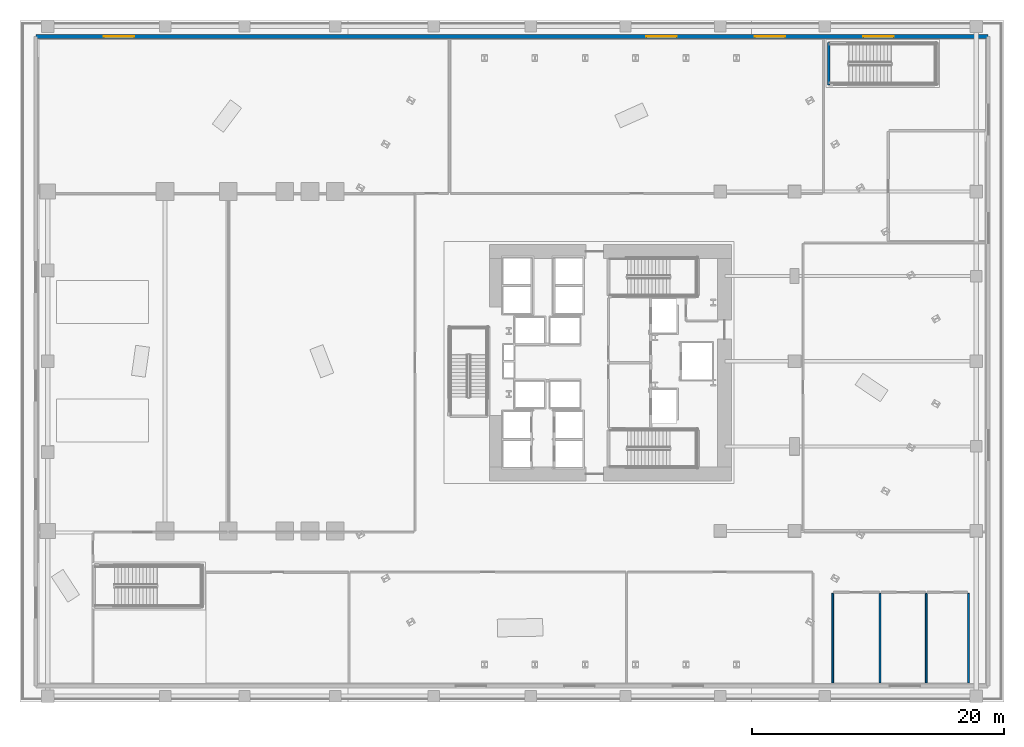
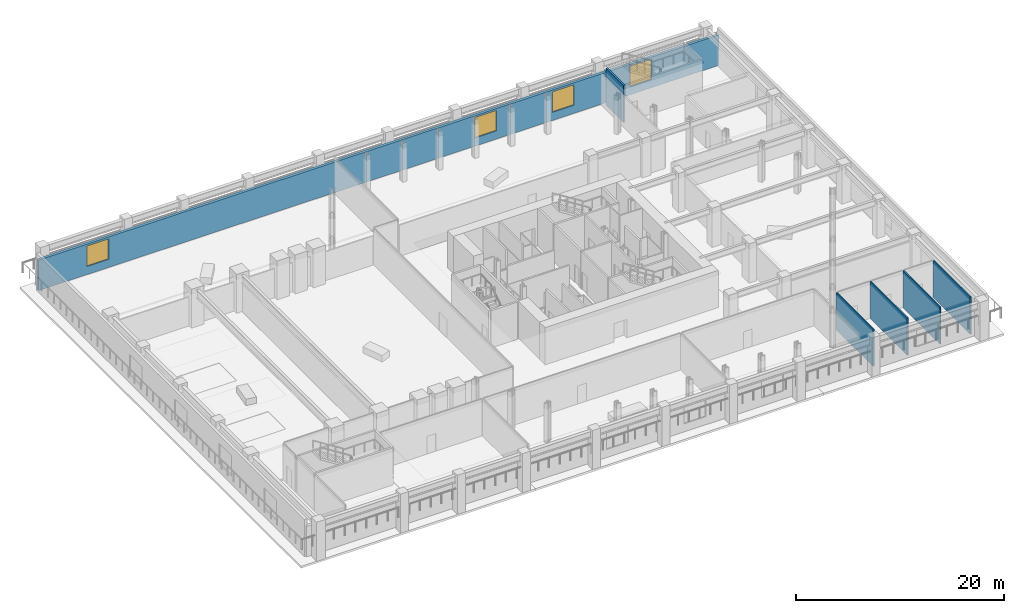
# One storey, part 6 of 18: 6 walls, 4 windows, 4 openings.
"""IFC4 building model written with IfcOpenShell, lengths in metres."""

from ifc_helpers import new_model, si_unit, direction, frame, frame_2d, origin, place, context, subcontext, project, spatial, rectangle, extrude, material, layer, layer_set, type_object, element, fill, save


model = new_model("IFC4")

# Units and contexts
model_context = context("Model", 3, precision=1e-05, world=origin(), true_north=direction((0.0, 1.0)))
body_context = subcontext(model_context, "Body", "Model", "MODEL_VIEW")
ifc_project = project(units=[si_unit("LENGTHUNIT", "METRE"), si_unit("AREAUNIT", "SQUARE_METRE"), si_unit("VOLUMEUNIT", "CUBIC_METRE"), si_unit("PLANEANGLEUNIT", "RADIAN"), si_unit("MASSUNIT", "GRAM", prefix="KILO")], contexts=[model_context])

# Site, building, storey
site_placement = place(None, origin())
site = spatial("IfcSite", under=ifc_project, at=site_placement, CompositionType="ELEMENT")
building_placement = place(site_placement, origin())
building = spatial("IfcBuilding", under=site, at=building_placement, Name="Valkerne Bourse Tower", CompositionType="ELEMENT")
storey_placement = place(building_placement, frame((0.0, 0.0, 10.199951171875)))
storey = spatial("IfcBuildingStorey", under=building, at=storey_placement, Name="L02", CompositionType="ELEMENT", Elevation=10.199951171875)

# Wall, openings, windows
ifc_material_1 = material(Name="Bronze Anodised Aluminium AA 6063-T6", Category="aluminium")
ifc_layer_1 = layer(ifc_material_1, 0.300048828125)
ifc_layer_set_1 = layer_set([ifc_layer_1], Name="Bronze Anodised Aluminium AA 6063-T6")
wall_type_1 = type_object("IfcWallType", Name="W-EXT-ALUM-300", PredefinedType="STANDARD", material=ifc_layer_set_1)
wall_1_placement = place(storey_placement, frame((1.25, 52.75, 0.0), z_axis=(0.0, 0.0, 1.0), x_axis=(1.0, 0.0, 0.0)))
wall_1 = element("IfcWall", 1, at=wall_1_placement, inside=storey, type_object=wall_type_1, Name="L02 Podium Exterior Wall NORTH", PredefinedType="STANDARD", context=body_context, shape_type="SweptSolid", body=[
    extrude(rectangle(XDim=75.5, YDim=0.300048828125, at=frame_2d((37.75, 0.0))), origin(), (0.0, 0.0, 1.0), 3.569091796875),
])
opening_1_placement = place(wall_1_placement, frame((5.39990234375, 0.0, 0.949951171875)))
opening_1 = element("IfcOpeningElement", 2, at=opening_1_placement, cuts=wall_1, Name="Opening WN-02", PredefinedType="OPENING", context=body_context, shape_type="SweptSolid", body=[
    extrude(rectangle(XDim=2.39990234375, YDim=2.39990234375, at=frame_2d((1.199951171875, 1.199951171875))), frame((0.0, 0.159912109375, 0.0), z_axis=(0.0, -1.0, 0.0), x_axis=(1.0, 0.0, 0.0)), (0.0, 0.0, 1.0), 0.320068359375),
])
opening_2_placement = place(wall_1_placement, frame((48.39990234375, 0.0, 0.949951171875)))
opening_2 = element("IfcOpeningElement", 3, at=opening_2_placement, cuts=wall_1, Name="Opening WN-02", PredefinedType="OPENING", context=body_context, shape_type="SweptSolid", body=[
    extrude(rectangle(XDim=2.39990234375, YDim=2.39990234375, at=frame_2d((1.199951171875, 1.199951171875))), frame((0.0, 0.159912109375, 0.0), z_axis=(0.0, -1.0, 0.0), x_axis=(1.0, 0.0, 0.0)), (0.0, 0.0, 1.0), 0.320068359375),
])
opening_3_placement = place(wall_1_placement, frame((57.0, 0.0, 0.949951171875)))
opening_3 = element("IfcOpeningElement", 4, at=opening_3_placement, cuts=wall_1, Name="Opening WN-02", PredefinedType="OPENING", context=body_context, shape_type="SweptSolid", body=[
    extrude(rectangle(XDim=2.39990234375, YDim=2.39990234375, at=frame_2d((1.199951171875, 1.199951171875))), frame((0.0, 0.159912109375, 0.0), z_axis=(0.0, -1.0, 0.0), x_axis=(1.0, 0.0, 0.0)), (0.0, 0.0, 1.0), 0.320068359375),
])
opening_4_placement = place(wall_1_placement, frame((65.60009765625, 0.0, 0.949951171875)))
opening_4 = element("IfcOpeningElement", 5, at=opening_4_placement, cuts=wall_1, Name="Opening WN-02", PredefinedType="OPENING", context=body_context, shape_type="SweptSolid", body=[
    extrude(rectangle(XDim=2.39990234375, YDim=2.39990234375, at=frame_2d((1.199951171875, 1.199951171875))), frame((0.0, 0.159912109375, 0.0), z_axis=(0.0, -1.0, 0.0), x_axis=(1.0, 0.0, 0.0)), (0.0, 0.0, 1.0), 0.320068359375),
])
ifc_material_2 = material(Name="Glass IGU Low-E Double Glazed", Category="glass")
window_type = type_object("IfcWindowType", Name="WIN-POD-2400X2400", PartitioningType="SINGLE_PANEL", PredefinedType="WINDOW", material=ifc_material_2)
window_1_placement = place(opening_1_placement, origin())
window_1 = element("IfcWindow", 6, at=window_1_placement, inside=storey, type_object=window_type, Name="L02 Podium Low-E Window 05", OverallHeight=2.39990234375, OverallWidth=2.39990234375, PartitioningType="SINGLE_PANEL", PredefinedType="WINDOW", context=body_context, shape_type="SweptSolid", body=[
    extrude(rectangle(XDim=2.39990234375, YDim=2.39990234375, at=frame_2d((1.199951171875, 1.199951171875))), frame((0.0, 0.030029296875, 0.0), z_axis=(0.0, -1.0, 0.0), x_axis=(1.0, 0.0, 0.0)), (0.0, 0.0, 1.0), 0.06005859375),
])
fill(opening_1, window_1)
window_2_placement = place(opening_2_placement, origin())
window_2 = element("IfcWindow", 7, at=window_2_placement, inside=storey, type_object=window_type, Name="L02 Podium Low-E Window 06", OverallHeight=2.39990234375, OverallWidth=2.39990234375, PartitioningType="SINGLE_PANEL", PredefinedType="WINDOW", context=body_context, shape_type="SweptSolid", body=[
    extrude(rectangle(XDim=2.39990234375, YDim=2.39990234375, at=frame_2d((1.199951171875, 1.199951171875))), frame((0.0, 0.030029296875, 0.0), z_axis=(0.0, -1.0, 0.0), x_axis=(1.0, 0.0, 0.0)), (0.0, 0.0, 1.0), 0.06005859375),
])
fill(opening_2, window_2)
window_3_placement = place(opening_3_placement, origin())
window_3 = element("IfcWindow", 8, at=window_3_placement, inside=storey, type_object=window_type, Name="L02 Podium Low-E Window 07", OverallHeight=2.39990234375, OverallWidth=2.39990234375, PartitioningType="SINGLE_PANEL", PredefinedType="WINDOW", context=body_context, shape_type="SweptSolid", body=[
    extrude(rectangle(XDim=2.39990234375, YDim=2.39990234375, at=frame_2d((1.199951171875, 1.199951171875))), frame((0.0, 0.030029296875, 0.0), z_axis=(0.0, -1.0, 0.0), x_axis=(1.0, 0.0, 0.0)), (0.0, 0.0, 1.0), 0.06005859375),
])
fill(opening_3, window_3)
window_4_placement = place(opening_4_placement, origin())
window_4 = element("IfcWindow", 9, at=window_4_placement, inside=storey, type_object=window_type, Name="L02 Podium Low-E Window 08", OverallHeight=2.39990234375, OverallWidth=2.39990234375, PartitioningType="SINGLE_PANEL", PredefinedType="WINDOW", context=body_context, shape_type="SweptSolid", body=[
    extrude(rectangle(XDim=2.39990234375, YDim=2.39990234375, at=frame_2d((1.199951171875, 1.199951171875))), frame((0.0, 0.030029296875, 0.0), z_axis=(0.0, -1.0, 0.0), x_axis=(1.0, 0.0, 0.0)), (0.0, 0.0, 1.0), 0.06005859375),
])
fill(opening_4, window_4)

# Walls
ifc_material_3 = material(Name="Concrete C40/50", Category="concrete")
ifc_layer_2 = layer(ifc_material_3, 0.199951171875)
ifc_layer_set_2 = layer_set([ifc_layer_2], Name="Concrete C40/50")
wall_type_2 = type_object("IfcWallType", Name="W-SHF-200", PredefinedType="SHEAR", material=ifc_layer_set_2)
wall_2_placement = place(storey_placement, frame((64.10009765625, 48.89990234375, 0.0), z_axis=(0.0, 0.0, 1.0), x_axis=(0.0, 1.0, 0.0)))
element("IfcWall", 10, at=wall_2_placement, inside=storey, type_object=wall_type_2, Name="L02 Exit Stair ST-P2 Structural West Wall", PredefinedType="SHEAR", context=body_context, shape_type="SweptSolid", body=[
    extrude(rectangle(XDim=3.35009765625, YDim=0.199951171875, at=frame_2d((1.675048828125, 0.0))), origin(), (0.0, 0.0, 1.0), 4.360107421875),
])
ifc_material_4 = material(Name="Moisture-Resistant Gypsum Partition", Category="gypsum")
ifc_layer_3 = layer(ifc_material_4, 0.139892578125)
ifc_layer_set_3 = layer_set([ifc_layer_3], Name="Moisture-Resistant Gypsum Partition")
wall_type_3 = type_object("IfcWallType", Name="W-WET-140", PredefinedType="PARTITIONING", material=ifc_layer_set_3)
for number, where, z_axis, x_axis, name in (
    (11, (64.419921875, 1.5, 0.0), (0.0, 0.0, 1.0), (0.0, 1.0, 0.0), "L02 L02 Men Bathroom WC Wall"),
    (12, (68.179931640625, 1.5, 0.0), (0.0, 0.0, 1.0), (0.0, 1.0, 0.0), "L02 L02 Men Bathroom WC Wall"),
    (13, (71.830078125, 1.5, 0.0), (0.0, 0.0, 1.0), (0.0, 1.0, 0.0), "L02 L02 Women Bathroom WC Wall"),
    (14, (75.179931640625, 1.5, 0.0), (0.0, 0.0, 1.0), (0.0, 1.0, 0.0), "L02 L02 Accessible Bathroom WC Wall"),
):
    element("IfcWall", number, at=place(storey_placement, frame(where, z_axis=z_axis, x_axis=x_axis)), inside=storey, type_object=wall_type_3, Name=name, PredefinedType="PARTITIONING", context=body_context, shape_type="SweptSolid", body=[
        extrude(rectangle(XDim=7.10009765625, YDim=0.139892578125, at=frame_2d((3.550048828125, 0.0))), origin(), (0.0, 0.0, 1.0), 4.360107421875),
    ])

save(model, "model.ifc")
